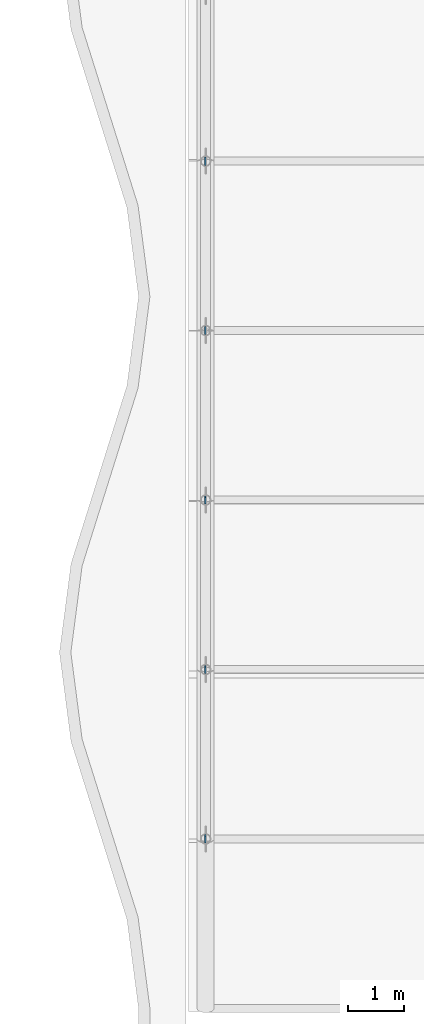
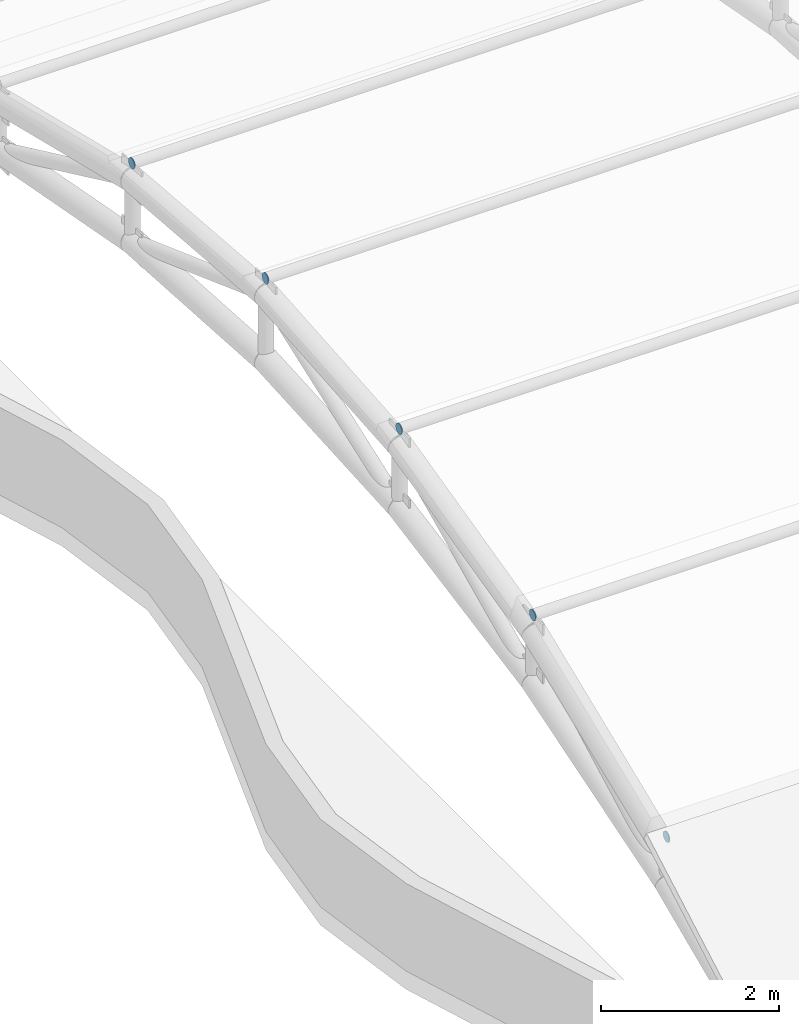
# One storey, part 104 of 163: 5 plates.
"""IFC4 building model written with IfcOpenShell, lengths in metres."""

from ifc_helpers import new_model, si_unit, direction, frame, origin, origin_2d, place, context, subcontext, project, spatial, circle, extrude, material, material_profile, profile_set, type_object, element, save


model = new_model("IFC4")

# Units and contexts
model_context = context("Model", 3, precision=1e-05, world=origin(), true_north=direction((0.0, 1.0)))
body_context = subcontext(model_context, "Body", "Model", "MODEL_VIEW")
ifc_project = project(units=[si_unit("LENGTHUNIT", "METRE"), si_unit("AREAUNIT", "SQUARE_METRE"), si_unit("VOLUMEUNIT", "CUBIC_METRE"), si_unit("PLANEANGLEUNIT", "RADIAN"), si_unit("MASSUNIT", "GRAM", prefix="KILO")], contexts=[model_context])

# Site, building, storey
site_placement = place(None, origin())
site = spatial("IfcSite", under=ifc_project, at=site_placement, CompositionType="ELEMENT")
building_placement = place(site_placement, origin())
building = spatial("IfcBuilding", under=site, at=building_placement, Name="Rain Tree Exposition and Congress Centre", CompositionType="ELEMENT")
storey_placement = place(building_placement, frame((0.0, 0.0, 10.5)))
storey = spatial("IfcBuildingStorey", under=building, at=storey_placement, Name="L02", CompositionType="ELEMENT", Elevation=10.5)

# Plates
ifc_material = material(Name="Steel S355J2", Category="steel")
ifc_material_profile = material_profile(ifc_material, circle(Radius=0.070068359375, at=origin_2d()), Name="CIRCLE 140")
ifc_profile_set = profile_set([ifc_material_profile], Name="Steel S355J2")
plate_type = type_object("IfcPlateType", Name="Purlin end plate 12 CHS 140", PredefinedType="SHEET", material=ifc_profile_set)
for number, where, z_axis, x_axis, name in (
    (1, (-0.011962890625, 78.60009765625, 2.056396484375), (1.0, 0.0, 0.0), (0.0, 1.0, 0.0), "End plate purlin 2.1"),
    (2, (-0.011962890625, 81.60009765625, 3.27490234375), (1.0, 0.0, 0.0), (0.0, 1.0, 0.0), "End plate purlin 3.1"),
    (3, (-0.011962890625, 84.60009765625, 4.00634765625), (1.0, 0.0, 0.0), (0.0, 1.0, 0.0), "End plate purlin 4.1"),
    (4, (-0.011962890625, 87.60009765625, 4.25), (1.0, 0.0, 0.0), (0.0, 1.0, 0.0), "End plate purlin 5.1"),
    (5, (-0.011962890625, 90.60009765625, 4.00634765625), (1.0, 0.0, 0.0), (0.0, 1.0, 0.0), "End plate purlin 6.1"),
):
    element("IfcPlate", number, at=place(storey_placement, frame(where, z_axis=z_axis, x_axis=x_axis)), inside=storey, type_object=plate_type, Name=name, PredefinedType="SHEET", context=body_context, shape_type="SweptSolid", body=[
        extrude(circle(Radius=0.070068359375, at=origin_2d()), origin(), (0.0, 0.0, 1.0), 0.011962890625),
    ])

save(model, "model.ifc")
